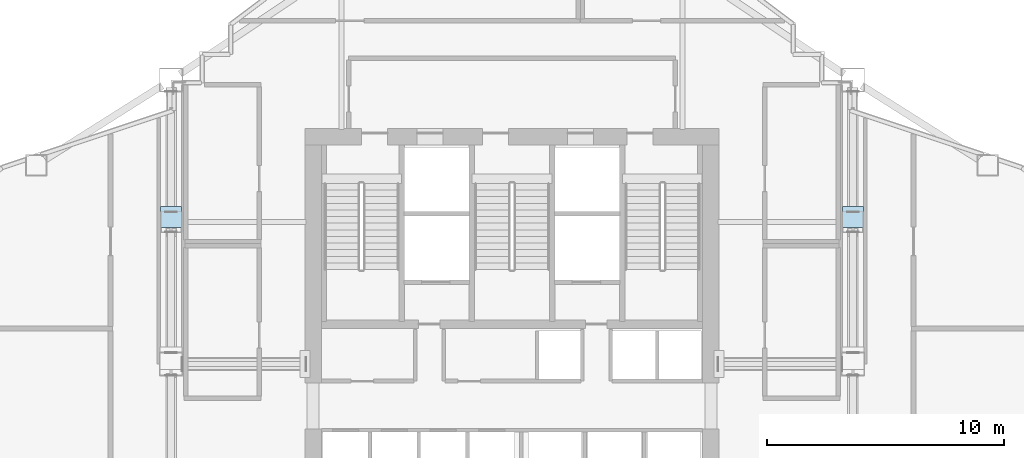
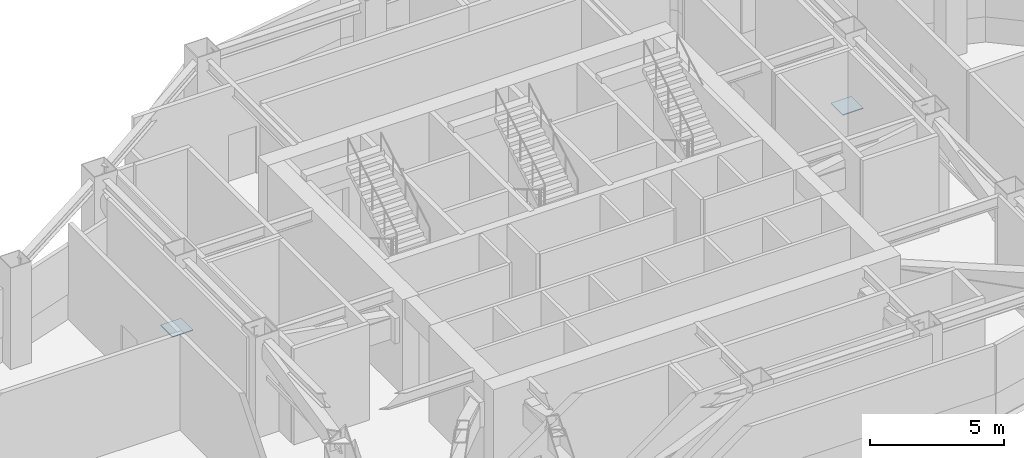
# One storey, part 7 of 24: 2 plates.
"""IFC4 building model written with IfcOpenShell, lengths in metres."""

from ifc_helpers import new_model, si_unit, direction, frame, origin, origin_2d, place, context, subcontext, project, spatial, rectangle, extrude, material, layer, layer_set, type_object, element, save


model = new_model("IFC4")

# Units and contexts
model_context = context("Model", 3, precision=1e-05, world=origin(), true_north=direction((0.0, 1.0)))
body_context = subcontext(model_context, "Body", "Model", "MODEL_VIEW")
ifc_project = project(units=[si_unit("LENGTHUNIT", "METRE"), si_unit("AREAUNIT", "SQUARE_METRE"), si_unit("VOLUMEUNIT", "CUBIC_METRE"), si_unit("PLANEANGLEUNIT", "RADIAN"), si_unit("MASSUNIT", "GRAM", prefix="KILO")], contexts=[model_context])

# Site, building, storey
site_placement = place(None, origin())
site = spatial("IfcSite", under=ifc_project, at=site_placement, CompositionType="ELEMENT")
building_placement = place(site_placement, origin())
building = spatial("IfcBuilding", under=site, at=building_placement, Name="Haolan Belvedere Tower", CompositionType="ELEMENT")
storey_placement = place(building_placement, frame((0.0, 0.0, 160.0)))
storey = spatial("IfcBuildingStorey", under=building, at=storey_placement, Name="L40", CompositionType="ELEMENT", Elevation=160.0)

# Plates
ifc_material = material(Name="Steel Q390GJC", Category="steel")
ifc_layer = layer(ifc_material, 0.035888671875, Name="Steel Q390GJC")
ifc_layer_set = layer_set([ifc_layer], Name="Steel Q390GJC")
plate_type = type_object("IfcPlateType", Name="PL-NODE-NP03", PredefinedType="USERDEFINED", material=ifc_layer_set)
for number, where, z_axis, x_axis, name in (
    (1, (24.0, 39.820068359375, 0.7822265625), (0.0, 0.0, 1.0), (1.0, 0.0, 0.0), "NP-03 belt truss node plate L40 BT-W4"),
    (2, (52.800048828125, 39.820068359375, 0.7822265625), (0.0, 0.0, 1.0), (1.0, 0.0, 0.0), "NP-03 belt truss node plate L40 BT-E4"),
):
    element("IfcPlate", number, at=place(storey_placement, frame(where, z_axis=z_axis, x_axis=x_axis)), inside=storey, type_object=plate_type, Name=name, ObjectType="GUSSET", PredefinedType="USERDEFINED", context=body_context, shape_type="SweptSolid", body=[
        extrude(rectangle(XDim=0.889892578125, YDim=0.889892578125, at=origin_2d()), origin(), (0.0, 0.0, 1.0), 0.035888671875),
    ])

save(model, "model.ifc")
